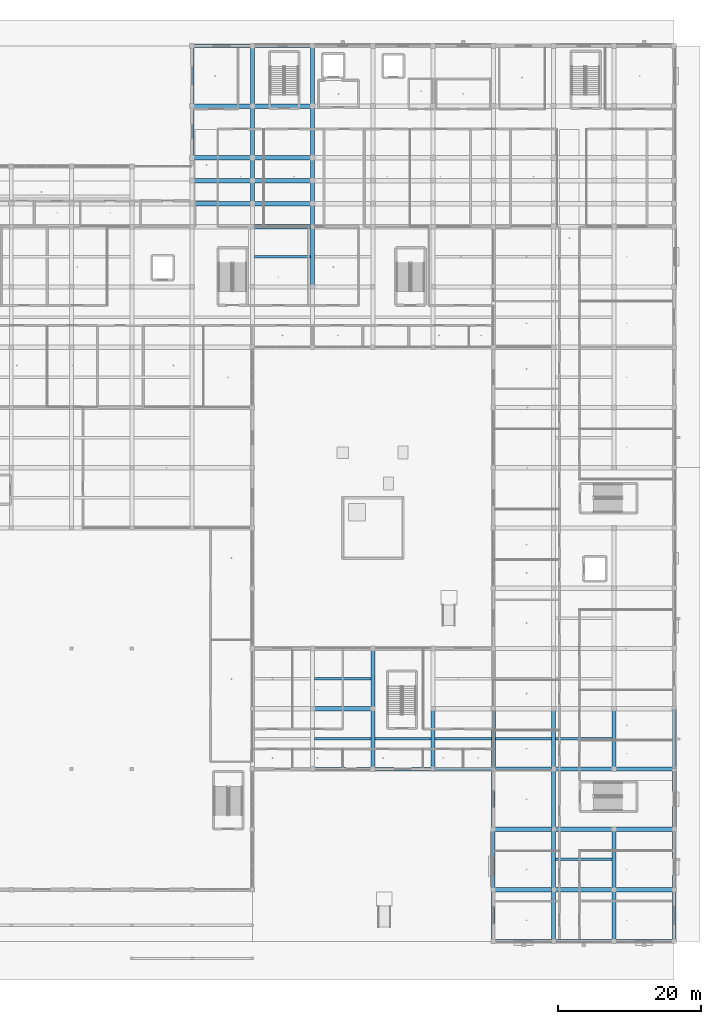
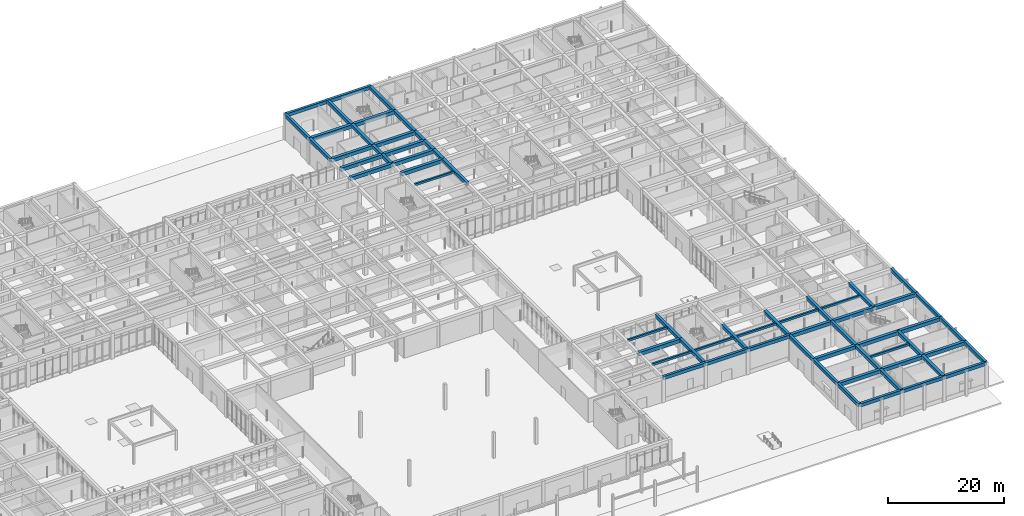
# One storey, part 37 of 167: 65 beams.
"""IFC4 building model written with IfcOpenShell, lengths in metres."""

import ifcopenshell
import ifcopenshell.guid

model = None  # the IFC model being written
_history = None  # IfcOwnerHistory: only IFC2X3 demands one
_inside = {}  # id of a spatial element -> (the spatial element, [elements in it])
_under = {}  # id of a project, library or spatial element -> (it, [spatial elements below it])
_declared = {}  # id of a project -> (the project, [libraries it declares])
_typed = {}  # id of a type object -> (the type object, [elements of that type])
_made_of = {}  # id of a material, layer set ... -> (it, [elements and type objects made of it])


def new_model(schema):
    """Start an empty IFC model of exactly this schema.

    Asked for "IFC4X3", IfcOpenShell would pick the latest addendum, in which some entities
    have other attributes; the version numbers below select the first issue.
    IFC2X3 requires an IfcOwnerHistory on every rooted entity: one is made here for all.
    """
    global model, _history
    if schema == "IFC4X3":
        model = ifcopenshell.file(schema_version=(4, 3, 0, 0))
    else:
        model = ifcopenshell.file(schema=schema)
    _inside.clear()
    _under.clear()
    _declared.clear()
    _typed.clear()
    _made_of.clear()
    _history = None
    if model.schema == "IFC2X3":
        org = make("IfcOrganization", Name="unknown")
        user = make(
            "IfcPersonAndOrganization",
            ThePerson=make("IfcPerson", FamilyName="unknown"),
            TheOrganization=org,
        )
        app = make(
            "IfcApplication",
            ApplicationDeveloper=org,
            Version="unknown",
            ApplicationFullName="unknown",
            ApplicationIdentifier="unknown",
        )
        _history = make(
            "IfcOwnerHistory",
            OwningUser=user,
            OwningApplication=app,
            ChangeAction="ADDED",
            CreationDate=0,
        )
    return model


def make(cls, **values):
    """One entity of the class cls with the attributes given. An attribute that is None is left unset."""
    return model.create_entity(
        cls, **{name: value for name, value in values.items() if value is not None}
    )


def rooted(cls, **values):
    """An entity with a GlobalId (a new one), such as an element, a storey or a relation."""
    return make(cls, GlobalId=ifcopenshell.guid.new(), OwnerHistory=_history, **values)


def si_unit(unit_type, name, prefix=None):
    """IfcSIUnit, for example si_unit("LENGTHUNIT", "METRE", prefix="MILLI")."""
    return make("IfcSIUnit", UnitType=unit_type, Prefix=prefix, Name=name)


def assignment(units):
    """IfcUnitAssignment: the units of a project."""
    return None if units is None else make("IfcUnitAssignment", Units=units)


def point(xyz):
    """IfcCartesianPoint."""
    return None if xyz is None else make("IfcCartesianPoint", Coordinates=xyz)


def direction(xyz):
    """IfcDirection."""
    return None if xyz is None else make("IfcDirection", DirectionRatios=xyz)


def frame(location, z_axis=None, x_axis=None):
    """IfcAxis2Placement3D, a coordinate frame: its origin and axes. An axis left out is left unset."""
    return make(
        "IfcAxis2Placement3D",
        Location=point(location),
        Axis=direction(z_axis),
        RefDirection=direction(x_axis),
    )


def frame_2d(location, x_axis=None):
    """IfcAxis2Placement2D, a coordinate frame in the plane: its origin and x axis."""
    return make(
        "IfcAxis2Placement2D", Location=point(location), RefDirection=direction(x_axis)
    )


def origin():
    """The frame at (0, 0, 0) with its axes left unset."""
    return frame((0.0, 0.0, 0.0))


def origin_2d():
    """The frame at (0, 0) in the plane with its x axis left unset."""
    return frame_2d((0.0, 0.0))


def place(relative_to, where):
    """IfcLocalPlacement: puts the frame where relative to a parent placement (None: the world)."""
    return make(
        "IfcLocalPlacement", PlacementRelTo=relative_to, RelativePlacement=where
    )


def context(
    kind, dimensions, precision=None, world=None, true_north=None, identifier=None
):
    """IfcGeometricRepresentationContext, for example the 3D "Model" context."""
    return make(
        "IfcGeometricRepresentationContext",
        ContextIdentifier=identifier,
        ContextType=kind,
        CoordinateSpaceDimension=dimensions,
        Precision=precision,
        WorldCoordinateSystem=world,
        TrueNorth=true_north,
    )


def subcontext(parent, identifier, kind, view, scale=None):
    """IfcGeometricRepresentationSubContext, for example "Body" below "Model"."""
    return make(
        "IfcGeometricRepresentationSubContext",
        ContextIdentifier=identifier,
        ContextType=kind,
        ParentContext=parent,
        TargetScale=scale,
        TargetView=view,
    )


def project(units=None, contexts=None):
    """IfcProject with its units and contexts."""
    return rooted(
        "IfcProject",
        Name="project",
        RepresentationContexts=contexts,
        UnitsInContext=assignment(units),
    )


def spatial(cls, under=None, at=None, **own):
    """A site, building, storey or space (cls), placed at a placement, below another one or the project."""
    s = rooted(cls, ObjectPlacement=at, **own)
    if under is not None:
        _under.setdefault(under.id(), (under, []))[1].append(s)
    return s


def profile(cls, at=None, kind="AREA", **sizes):
    """A parametric profile (cls). Its sizes go by their IFC names, for example OverallWidth=200.0."""
    return make(cls, ProfileType=kind, Position=at, **sizes)


def rectangle(**sizes):
    """IfcRectangleProfileDef."""
    return profile("IfcRectangleProfileDef", **sizes)


def extrude(swept, where, along, depth):
    """IfcExtrudedAreaSolid: the profile swept, set in the frame where, extruded along a direction by depth."""
    return make(
        "IfcExtrudedAreaSolid",
        SweptArea=swept,
        Position=where,
        ExtrudedDirection=direction(along),
        Depth=depth,
    )


def shape(context_of_items, identifier, shape_type, items):
    """IfcShapeRepresentation: the items that make up one representation, for example the "Body"."""
    return make(
        "IfcShapeRepresentation",
        ContextOfItems=context_of_items,
        RepresentationIdentifier=identifier,
        RepresentationType=shape_type,
        Items=items,
    )


def material(Name=None, Category=None):
    """IfcMaterial."""
    return make("IfcMaterial", Name=Name, Category=Category)


def material_profile(
    of_material, cross_section, Name=None, Category=None, Priority=None
):
    """IfcMaterialProfile: a cross section and its material."""
    return make(
        "IfcMaterialProfile",
        Name=Name,
        Material=of_material,
        Profile=cross_section,
        Priority=Priority,
        Category=Category,
    )


def profile_set(profiles, Name=None, composite=None):
    """IfcMaterialProfileSet."""
    return make(
        "IfcMaterialProfileSet",
        Name=Name,
        MaterialProfiles=profiles,
        CompositeProfile=composite,
    )


def made_of(thing, what):
    """Note that an element or type object is made of a material, layer set ...; save() writes the relation."""
    if what is not None:
        _made_of.setdefault(what.id(), (what, []))[1].append(thing)
    return thing


def type_object(cls, material=None, **own):
    """A type object (cls), such as IfcWallType, which elements share."""
    return made_of(rooted(cls, **own), material)


def element(
    cls,
    number,
    at=None,
    inside=None,
    cuts=None,
    type_object=None,
    material=None,
    context=None,
    identifier="Body",
    shape_type=None,
    held_by="IfcProductDefinitionShape",
    body=None,
    shapes=None,
    **own,
):
    """One element of the class cls, such as IfcWall. Its Tag is "e" and its number.

    at: its placement. inside: the storey or other place that contains it. cuts: it is an
    opening in that element (IfcRelVoidsElement). A single representation is given by context,
    identifier, shape_type and body (its items); several are given by shapes. held_by: the class
    of the entity that holds the representations. save() writes the other relations.
    """
    e = rooted(cls, Tag="e%d" % number, ObjectPlacement=at, **own)
    if body is not None:
        shapes = [shape(context, identifier, shape_type, body)]
    if shapes is not None:
        e.Representation = make(held_by, Representations=shapes)
    if inside is not None:
        _inside.setdefault(inside.id(), (inside, []))[1].append(e)
    if cuts is not None:
        rooted(
            "IfcRelVoidsElement", RelatingBuildingElement=cuts, RelatedOpeningElement=e
        )
    if type_object is not None:
        _typed.setdefault(type_object.id(), (type_object, []))[1].append(e)
    return made_of(e, material)


def aggregate(whole, parts):
    """IfcRelAggregates: a whole, such as a stair, and the parts it consists of."""
    return rooted("IfcRelAggregates", RelatingObject=whole, RelatedObjects=parts)


def save(model, path):
    """Write the relations noted so far, then the file.

    IfcRelAggregates (storeys below a building ...), IfcRelContainedInSpatialStructure (elements
    in a storey), IfcRelDefinesByType, IfcRelAssociatesMaterial and IfcRelDeclares: one each for
    every whole, place, type object, material and project.
    """
    for whole, parts in _under.values():
        aggregate(whole, parts)
    for where, things in _inside.values():
        rooted(
            "IfcRelContainedInSpatialStructure",
            RelatedElements=things,
            RelatingStructure=where,
        )
    for kind, things in _typed.values():
        rooted("IfcRelDefinesByType", RelatedObjects=things, RelatingType=kind)
    for what, things in _made_of.values():
        rooted("IfcRelAssociatesMaterial", RelatedObjects=things, RelatingMaterial=what)
    for by, libraries in _declared.values():
        rooted("IfcRelDeclares", RelatingContext=by, RelatedDefinitions=libraries)
    model.write(path)


model = new_model("IFC4")

# Units and contexts
model_context = context("Model", 3, precision=1e-05, world=origin(), true_north=direction((0.0, 1.0)))
body_context = subcontext(model_context, "Body", "Model", "MODEL_VIEW")
ifc_project = project(units=[si_unit("LENGTHUNIT", "METRE"), si_unit("AREAUNIT", "SQUARE_METRE"), si_unit("VOLUMEUNIT", "CUBIC_METRE"), si_unit("PLANEANGLEUNIT", "RADIAN"), si_unit("MASSUNIT", "GRAM", prefix="KILO")], contexts=[model_context])

# Site, building, storey
site_placement = place(None, origin())
site = spatial("IfcSite", under=ifc_project, at=site_placement, CompositionType="ELEMENT")
building_placement = place(site_placement, origin())
building = spatial("IfcBuilding", under=site, at=building_placement, Name="Varncliffe General Hospital", CompositionType="ELEMENT")
storey_placement = place(building_placement, origin())
storey = spatial("IfcBuildingStorey", under=building, at=storey_placement, Name="L00", CompositionType="ELEMENT", Elevation=0.0)

# Beams
ifc_material = material(Name="Concrete C35/45 (CSA A23.1 35 MPa)", Category="concrete")
ifc_material_profile_1 = material_profile(ifc_material, rectangle(XDim=0.60009765625, YDim=0.75, at=origin_2d()), Name="RC 600x750")
ifc_profile_set_1 = profile_set([ifc_material_profile_1], Name="Concrete C35/45 (CSA A23.1 35 MPa)")
beam_type_1 = type_object("IfcBeamType", Name="Beam B23 (Int RC 600x750)", PredefinedType="BEAM", material=ifc_profile_set_1)
beam_1_placement = place(storey_placement, frame((151.199951171875, 7.199951171875, 5.02490234375), z_axis=(1.0, 0.0, 0.0), x_axis=(0.0, 1.0, 0.0)))
element("IfcBeam", 1, at=beam_1_placement, inside=storey, type_object=beam_type_1, Name="L00 Primary Beam B23-17", PredefinedType="BEAM", context=body_context, shape_type="SweptSolid", body=[
    extrude(rectangle(XDim=0.60009765625, YDim=0.75, at=origin_2d()), origin(), (0.0, 0.0, 1.0), 8.400146484375),
])
for number, where, z_axis, x_axis, name in (
    (2, (159.60009765625, 7.199951171875, 5.02490234375), (1.0, 0.0, 0.0), (0.0, 1.0, 0.0), "L00 Primary Beam B23-18"),
    (3, (168.0, 7.199951171875, 5.02490234375), (1.0, 0.0, 0.0), (0.0, 1.0, 0.0), "L00 Primary Beam B23-19"),
):
    element("IfcBeam", number, at=place(storey_placement, frame(where, z_axis=z_axis, x_axis=x_axis)), inside=storey, type_object=beam_type_1, Name=name, PredefinedType="BEAM", context=body_context, shape_type="SweptSolid", body=[
        extrude(rectangle(XDim=0.60009765625, YDim=0.75, at=origin_2d()), origin(), (0.0, 0.0, 1.0), 8.39990234375),
    ])
beam_2_placement = place(storey_placement, frame((151.199951171875, 15.60009765625, 5.02490234375), z_axis=(1.0, 0.0, 0.0), x_axis=(0.0, 1.0, 0.0)))
element("IfcBeam", 4, at=beam_2_placement, inside=storey, type_object=beam_type_1, Name="L00 Primary Beam B23-23", PredefinedType="BEAM", context=body_context, shape_type="SweptSolid", body=[
    extrude(rectangle(XDim=0.60009765625, YDim=0.75, at=origin_2d()), origin(), (0.0, 0.0, 1.0), 8.400146484375),
])
for number, where, z_axis, x_axis, name in (
    (5, (159.60009765625, 15.60009765625, 5.02490234375), (1.0, 0.0, 0.0), (0.0, 1.0, 0.0), "L00 Primary Beam B23-24"),
    (6, (168.0, 15.60009765625, 5.02490234375), (1.0, 0.0, 0.0), (0.0, 1.0, 0.0), "L00 Primary Beam B23-25"),
):
    element("IfcBeam", number, at=place(storey_placement, frame(where, z_axis=z_axis, x_axis=x_axis)), inside=storey, type_object=beam_type_1, Name=name, PredefinedType="BEAM", context=body_context, shape_type="SweptSolid", body=[
        extrude(rectangle(XDim=0.60009765625, YDim=0.75, at=origin_2d()), origin(), (0.0, 0.0, 1.0), 8.39990234375),
    ])
beam_3_placement = place(storey_placement, frame((151.199951171875, 24.0, 5.02490234375), z_axis=(1.0, 0.0, 0.0), x_axis=(0.0, 1.0, 0.0)))
element("IfcBeam", 7, at=beam_3_placement, inside=storey, type_object=beam_type_1, Name="L00 Primary Beam B23-37", PredefinedType="BEAM", context=body_context, shape_type="SweptSolid", body=[
    extrude(rectangle(XDim=0.60009765625, YDim=0.75, at=origin_2d()), origin(), (0.0, 0.0, 1.0), 8.400146484375),
])
for number, where, z_axis, x_axis, name in (
    (8, (159.60009765625, 24.0, 5.02490234375), (1.0, 0.0, 0.0), (0.0, 1.0, 0.0), "L00 Primary Beam B23-38"),
    (9, (168.0, 24.0, 5.02490234375), (1.0, 0.0, 0.0), (0.0, 1.0, 0.0), "L00 Primary Beam B23-39"),
    (10, (126.0, 32.39990234375, 5.02490234375), (1.0, 0.0, 0.0), (0.0, 1.0, 0.0), "L00 Primary Beam B23-48"),
    (11, (117.60009765625, 99.60009765625, 5.02490234375), (1.0, 0.0, 0.0), (0.0, 1.0, 0.0), "L00 Primary Beam B23-164"),
):
    element("IfcBeam", number, at=place(storey_placement, frame(where, z_axis=z_axis, x_axis=x_axis)), inside=storey, type_object=beam_type_1, Name=name, PredefinedType="BEAM", context=body_context, shape_type="SweptSolid", body=[
        extrude(rectangle(XDim=0.60009765625, YDim=0.75, at=origin_2d()), origin(), (0.0, 0.0, 1.0), 8.39990234375),
    ])
beam_4_placement = place(storey_placement, frame((109.199951171875, 102.800048828125, 5.02490234375), z_axis=(1.0, 0.0, 0.0), x_axis=(0.0, 1.0, 0.0)))
element("IfcBeam", 12, at=beam_4_placement, inside=storey, type_object=beam_type_1, Name="L00 Primary Beam B23-184", PredefinedType="BEAM", context=body_context, shape_type="SweptSolid", body=[
    extrude(rectangle(XDim=0.60009765625, YDim=0.75, at=origin_2d()), origin(), (0.0, 0.0, 1.0), 8.400146484375),
])
beam_5_placement = place(storey_placement, frame((117.60009765625, 102.800048828125, 5.02490234375), z_axis=(1.0, 0.0, 0.0), x_axis=(0.0, 1.0, 0.0)))
element("IfcBeam", 13, at=beam_5_placement, inside=storey, type_object=beam_type_1, Name="L00 Primary Beam B23-185", PredefinedType="BEAM", context=body_context, shape_type="SweptSolid", body=[
    extrude(rectangle(XDim=0.60009765625, YDim=0.75, at=origin_2d()), origin(), (0.0, 0.0, 1.0), 8.39990234375),
])
beam_6_placement = place(storey_placement, frame((109.199951171875, 106.0, 5.02490234375), z_axis=(1.0, 0.0, 0.0), x_axis=(0.0, 1.0, 0.0)))
element("IfcBeam", 14, at=beam_6_placement, inside=storey, type_object=beam_type_1, Name="L00 Primary Beam B23-200", PredefinedType="BEAM", context=body_context, shape_type="SweptSolid", body=[
    extrude(rectangle(XDim=0.60009765625, YDim=0.75, at=origin_2d()), origin(), (0.0, 0.0, 1.0), 8.400146484375),
])
beam_7_placement = place(storey_placement, frame((117.60009765625, 106.0, 5.02490234375), z_axis=(1.0, 0.0, 0.0), x_axis=(0.0, 1.0, 0.0)))
element("IfcBeam", 15, at=beam_7_placement, inside=storey, type_object=beam_type_1, Name="L00 Primary Beam B23-201", PredefinedType="BEAM", context=body_context, shape_type="SweptSolid", body=[
    extrude(rectangle(XDim=0.60009765625, YDim=0.75, at=origin_2d()), origin(), (0.0, 0.0, 1.0), 8.39990234375),
])
beam_8_placement = place(storey_placement, frame((109.199951171875, 109.199951171875, 5.02490234375), z_axis=(1.0, 0.0, 0.0), x_axis=(0.0, 1.0, 0.0)))
element("IfcBeam", 16, at=beam_8_placement, inside=storey, type_object=beam_type_1, Name="L00 Primary Beam B23-219", PredefinedType="BEAM", context=body_context, shape_type="SweptSolid", body=[
    extrude(rectangle(XDim=0.60009765625, YDim=0.75, at=origin_2d()), origin(), (0.0, 0.0, 1.0), 8.400146484375),
])
beam_9_placement = place(storey_placement, frame((117.60009765625, 109.199951171875, 5.02490234375), z_axis=(1.0, 0.0, 0.0), x_axis=(0.0, 1.0, 0.0)))
element("IfcBeam", 17, at=beam_9_placement, inside=storey, type_object=beam_type_1, Name="L00 Primary Beam B23-220", PredefinedType="BEAM", context=body_context, shape_type="SweptSolid", body=[
    extrude(rectangle(XDim=0.60009765625, YDim=0.75, at=origin_2d()), origin(), (0.0, 0.0, 1.0), 8.39990234375),
])
beam_10_placement = place(storey_placement, frame((109.199951171875, 116.39990234375, 5.02490234375), z_axis=(1.0, 0.0, 0.0), x_axis=(0.0, 1.0, 0.0)))
element("IfcBeam", 18, at=beam_10_placement, inside=storey, type_object=beam_type_1, Name="L00 Primary Beam B23-235", PredefinedType="BEAM", context=body_context, shape_type="SweptSolid", body=[
    extrude(rectangle(XDim=0.60009765625, YDim=0.75, at=origin_2d()), origin(), (0.0, 0.0, 1.0), 8.400146484375),
])
beam_11_placement = place(storey_placement, frame((117.60009765625, 116.39990234375, 5.02490234375), z_axis=(1.0, 0.0, 0.0), x_axis=(0.0, 1.0, 0.0)))
element("IfcBeam", 19, at=beam_11_placement, inside=storey, type_object=beam_type_1, Name="L00 Primary Beam B23-236", PredefinedType="BEAM", context=body_context, shape_type="SweptSolid", body=[
    extrude(rectangle(XDim=0.60009765625, YDim=0.75, at=origin_2d()), origin(), (0.0, 0.0, 1.0), 8.39990234375),
])
ifc_material_profile_2 = material_profile(ifc_material, rectangle(XDim=0.550048828125, YDim=0.699951171875, at=origin_2d()), Name="RC 550x700")
ifc_profile_set_2 = profile_set([ifc_material_profile_2], Name="Concrete C35/45 (CSA A23.1 35 MPa)")
beam_type_2 = type_object("IfcBeamType", Name="Beam B35 (Int RC 550x700)", PredefinedType="BEAM", material=ifc_profile_set_2)
for number, where, z_axis, x_axis, name in (
    (20, (117.60009765625, 102.800048828125, 5.050048828125), (0.0, 1.0, 0.0), (-1.0, 0.0, 0.0), "L00 Primary Beam B35-428"),
    (21, (117.60009765625, 106.0, 5.050048828125), (0.0, 1.0, 0.0), (-1.0, 0.0, 0.0), "L00 Primary Beam B35-429"),
):
    element("IfcBeam", number, at=place(storey_placement, frame(where, z_axis=z_axis, x_axis=x_axis)), inside=storey, type_object=beam_type_2, Name=name, PredefinedType="BEAM", context=body_context, shape_type="SweptSolid", body=[
        extrude(rectangle(XDim=0.550048828125, YDim=0.699951171875, at=origin_2d()), origin(), (0.0, 0.0, 1.0), 3.199951171875),
    ])
beam_12_placement = place(storey_placement, frame((117.60009765625, 109.199951171875, 5.050048828125), z_axis=(0.0, 1.0, 0.0), x_axis=(-1.0, 0.0, 0.0)))
element("IfcBeam", 22, at=beam_12_placement, inside=storey, type_object=beam_type_2, Name="L00 Primary Beam B35-430", PredefinedType="BEAM", context=body_context, shape_type="SweptSolid", body=[
    extrude(rectangle(XDim=0.550048828125, YDim=0.699951171875, at=origin_2d()), origin(), (0.0, 0.0, 1.0), 7.199951171875),
])
for number, where, z_axis, x_axis, name in (
    (23, (117.60009765625, 116.39990234375, 5.050048828125), (0.0, 1.0, 0.0), (-1.0, 0.0, 0.0), "L00 Primary Beam B35-431"),
    (24, (126.0, 91.199951171875, 5.050048828125), (0.0, 1.0, 0.0), (-1.0, 0.0, 0.0), "L00 Primary Beam B35-435"),
):
    element("IfcBeam", number, at=place(storey_placement, frame(where, z_axis=z_axis, x_axis=x_axis)), inside=storey, type_object=beam_type_2, Name=name, PredefinedType="BEAM", context=body_context, shape_type="SweptSolid", body=[
        extrude(rectangle(XDim=0.550048828125, YDim=0.699951171875, at=origin_2d()), origin(), (0.0, 0.0, 1.0), 8.400146484375),
    ])
for number, where, z_axis, x_axis, name in (
    (25, (126.0, 99.60009765625, 5.050048828125), (0.0, 1.0, 0.0), (-1.0, 0.0, 0.0), "L00 Primary Beam B35-436"),
    (26, (126.0, 102.800048828125, 5.050048828125), (0.0, 1.0, 0.0), (-1.0, 0.0, 0.0), "L00 Primary Beam B35-437"),
    (27, (126.0, 106.0, 5.050048828125), (0.0, 1.0, 0.0), (-1.0, 0.0, 0.0), "L00 Primary Beam B35-438"),
):
    element("IfcBeam", number, at=place(storey_placement, frame(where, z_axis=z_axis, x_axis=x_axis)), inside=storey, type_object=beam_type_2, Name=name, PredefinedType="BEAM", context=body_context, shape_type="SweptSolid", body=[
        extrude(rectangle(XDim=0.550048828125, YDim=0.699951171875, at=origin_2d()), origin(), (0.0, 0.0, 1.0), 3.199951171875),
    ])
beam_13_placement = place(storey_placement, frame((126.0, 109.199951171875, 5.050048828125), z_axis=(0.0, 1.0, 0.0), x_axis=(-1.0, 0.0, 0.0)))
element("IfcBeam", 28, at=beam_13_placement, inside=storey, type_object=beam_type_2, Name="L00 Primary Beam B35-439", PredefinedType="BEAM", context=body_context, shape_type="SweptSolid", body=[
    extrude(rectangle(XDim=0.550048828125, YDim=0.699951171875, at=origin_2d()), origin(), (0.0, 0.0, 1.0), 7.199951171875),
])
beam_14_placement = place(storey_placement, frame((126.0, 116.39990234375, 5.050048828125), z_axis=(0.0, 1.0, 0.0), x_axis=(-1.0, 0.0, 0.0)))
element("IfcBeam", 29, at=beam_14_placement, inside=storey, type_object=beam_type_2, Name="L00 Primary Beam B35-440", PredefinedType="BEAM", context=body_context, shape_type="SweptSolid", body=[
    extrude(rectangle(XDim=0.550048828125, YDim=0.699951171875, at=origin_2d()), origin(), (0.0, 0.0, 1.0), 8.400146484375),
])
beam_15_placement = place(storey_placement, frame((134.39990234375, 24.0, 5.050048828125), z_axis=(0.0, 1.0, 0.0), x_axis=(-1.0, 0.0, 0.0)))
element("IfcBeam", 30, at=beam_15_placement, inside=storey, type_object=beam_type_2, Name="L00 Primary Beam B35-441", PredefinedType="BEAM", context=body_context, shape_type="SweptSolid", body=[
    extrude(rectangle(XDim=0.550048828125, YDim=0.699951171875, at=origin_2d()), origin(), (0.0, 0.0, 1.0), 8.39990234375),
])
beam_16_placement = place(storey_placement, frame((134.39990234375, 32.39990234375, 5.050048828125), z_axis=(0.0, 1.0, 0.0), x_axis=(-1.0, 0.0, 0.0)))
element("IfcBeam", 31, at=beam_16_placement, inside=storey, type_object=beam_type_2, Name="L00 Primary Beam B35-442", PredefinedType="BEAM", context=body_context, shape_type="SweptSolid", body=[
    extrude(rectangle(XDim=0.550048828125, YDim=0.699951171875, at=origin_2d()), origin(), (0.0, 0.0, 1.0), 8.400146484375),
])
for number, where, z_axis, x_axis, name in (
    (32, (142.800048828125, 24.0, 5.050048828125), (0.0, 1.0, 0.0), (-1.0, 0.0, 0.0), "L00 Primary Beam B35-450"),
    (33, (151.199951171875, 24.0, 5.050048828125), (0.0, 1.0, 0.0), (-1.0, 0.0, 0.0), "L00 Primary Beam B35-462"),
):
    element("IfcBeam", number, at=place(storey_placement, frame(where, z_axis=z_axis, x_axis=x_axis)), inside=storey, type_object=beam_type_2, Name=name, PredefinedType="BEAM", context=body_context, shape_type="SweptSolid", body=[
        extrude(rectangle(XDim=0.550048828125, YDim=0.699951171875, at=origin_2d()), origin(), (0.0, 0.0, 1.0), 8.39990234375),
    ])
beam_17_placement = place(storey_placement, frame((159.60009765625, 0.0, 5.050048828125), z_axis=(0.0, 1.0, 0.0), x_axis=(-1.0, 0.0, 0.0)))
element("IfcBeam", 34, at=beam_17_placement, inside=storey, type_object=beam_type_2, Name="L00 Primary Beam B35-476", PredefinedType="BEAM", context=body_context, shape_type="SweptSolid", body=[
    extrude(rectangle(XDim=0.550048828125, YDim=0.699951171875, at=origin_2d()), origin(), (0.0, 0.0, 1.0), 7.199951171875),
])
beam_18_placement = place(storey_placement, frame((159.60009765625, 7.199951171875, 5.050048828125), z_axis=(0.0, 1.0, 0.0), x_axis=(-1.0, 0.0, 0.0)))
element("IfcBeam", 35, at=beam_18_placement, inside=storey, type_object=beam_type_2, Name="L00 Primary Beam B35-477", PredefinedType="BEAM", context=body_context, shape_type="SweptSolid", body=[
    extrude(rectangle(XDim=0.550048828125, YDim=0.699951171875, at=origin_2d()), origin(), (0.0, 0.0, 1.0), 8.400146484375),
])
for number, where, z_axis, x_axis, name in (
    (36, (159.60009765625, 15.60009765625, 5.050048828125), (0.0, 1.0, 0.0), (-1.0, 0.0, 0.0), "L00 Primary Beam B35-478"),
    (37, (159.60009765625, 24.0, 5.050048828125), (0.0, 1.0, 0.0), (-1.0, 0.0, 0.0), "L00 Primary Beam B35-479"),
):
    element("IfcBeam", number, at=place(storey_placement, frame(where, z_axis=z_axis, x_axis=x_axis)), inside=storey, type_object=beam_type_2, Name=name, PredefinedType="BEAM", context=body_context, shape_type="SweptSolid", body=[
        extrude(rectangle(XDim=0.550048828125, YDim=0.699951171875, at=origin_2d()), origin(), (0.0, 0.0, 1.0), 8.39990234375),
    ])
beam_19_placement = place(storey_placement, frame((168.0, 0.0, 5.050048828125), z_axis=(0.0, 1.0, 0.0), x_axis=(-1.0, 0.0, 0.0)))
element("IfcBeam", 38, at=beam_19_placement, inside=storey, type_object=beam_type_2, Name="L00 Primary Beam B35-493", PredefinedType="BEAM", context=body_context, shape_type="SweptSolid", body=[
    extrude(rectangle(XDim=0.550048828125, YDim=0.699951171875, at=origin_2d()), origin(), (0.0, 0.0, 1.0), 7.199951171875),
])
beam_20_placement = place(storey_placement, frame((168.0, 7.199951171875, 5.050048828125), z_axis=(0.0, 1.0, 0.0), x_axis=(-1.0, 0.0, 0.0)))
element("IfcBeam", 39, at=beam_20_placement, inside=storey, type_object=beam_type_2, Name="L00 Primary Beam B35-494", PredefinedType="BEAM", context=body_context, shape_type="SweptSolid", body=[
    extrude(rectangle(XDim=0.550048828125, YDim=0.699951171875, at=origin_2d()), origin(), (0.0, 0.0, 1.0), 8.400146484375),
])
beam_21_placement = place(storey_placement, frame((168.0, 24.0, 5.050048828125), z_axis=(0.0, 1.0, 0.0), x_axis=(-1.0, 0.0, 0.0)))
element("IfcBeam", 40, at=beam_21_placement, inside=storey, type_object=beam_type_2, Name="L00 Primary Beam B35-495", PredefinedType="BEAM", context=body_context, shape_type="SweptSolid", body=[
    extrude(rectangle(XDim=0.550048828125, YDim=0.699951171875, at=origin_2d()), origin(), (0.0, 0.0, 1.0), 8.39990234375),
])
ifc_material_profile_3 = material_profile(ifc_material, rectangle(XDim=0.35009765625, YDim=0.449951171875, at=origin_2d()), Name="RC 350x450")
ifc_profile_set_3 = profile_set([ifc_material_profile_3], Name="Concrete C35/45 (CSA A23.1 35 MPa)")
beam_type_3 = type_object("IfcBeamType", Name="Joist J55 (Int RC 350x450)", PredefinedType="JOIST", material=ifc_profile_set_3)
for number, where, z_axis, x_axis, name in (
    (41, (117.873046875, 95.39990234375, 5.175048828125), (1.0, 0.0, 0.0), (0.0, 1.0, 0.0), "L00 Secondary Floor Rib J55-60"),
    (42, (126.27294921875, 28.199951171875, 5.175048828125), (1.0, 0.0, 0.0), (0.0, 1.0, 0.0), "L00 Secondary Floor Rib J55-61"),
    (43, (126.27294921875, 36.60009765625, 5.175048828125), (1.0, 0.0, 0.0), (0.0, 1.0, 0.0), "L00 Secondary Floor Rib J55-62"),
    (44, (134.673095703125, 28.199951171875, 5.175048828125), (1.0, 0.0, 0.0), (0.0, 1.0, 0.0), "L00 Secondary Floor Rib J55-65"),
    (45, (143.072998046875, 28.199951171875, 5.175048828125), (1.0, 0.0, 0.0), (0.0, 1.0, 0.0), "L00 Secondary Floor Rib J55-67"),
    (46, (151.472900390625, 28.199951171875, 5.175048828125), (1.0, 0.0, 0.0), (0.0, 1.0, 0.0), "L00 Secondary Floor Rib J55-71"),
    (47, (159.873046875, 11.39990234375, 5.175048828125), (1.0, 0.0, 0.0), (0.0, 1.0, 0.0), "L00 Secondary Floor Rib J55-75"),
    (48, (159.873046875, 28.199951171875, 5.175048828125), (1.0, 0.0, 0.0), (0.0, 1.0, 0.0), "L00 Secondary Floor Rib J55-76"),
):
    element("IfcBeam", number, at=place(storey_placement, frame(where, z_axis=z_axis, x_axis=x_axis)), inside=storey, type_object=beam_type_3, Name=name, PredefinedType="JOIST", context=body_context, shape_type="SweptSolid", body=[
        extrude(rectangle(XDim=0.35009765625, YDim=0.449951171875, at=origin_2d()), origin(), (0.0, 0.0, 1.0), 7.85400390625),
    ])
ifc_material_profile_4 = material_profile(ifc_material, rectangle(XDim=0.5, YDim=0.699951171875, at=origin_2d()), Name="RC 500x700")
ifc_profile_set_4 = profile_set([ifc_material_profile_4], Name="Concrete C35/45 (CSA A23.1 35 MPa)")
beam_type_4 = type_object("IfcBeamType", Name="Spandrel SP19 (Ext RC 500x700)", PredefinedType="SPANDREL", material=ifc_profile_set_4)
beam_22_placement = place(storey_placement, frame((151.199951171875, 0.0, 5.050048828125), z_axis=(1.0, 0.0, 0.0), x_axis=(0.0, 1.0, 0.0)))
element("IfcBeam", 49, at=beam_22_placement, inside=storey, type_object=beam_type_4, Name="L00 Spandrel Beam SP19-4", PredefinedType="SPANDREL", context=body_context, shape_type="SweptSolid", body=[
    extrude(rectangle(XDim=0.5, YDim=0.699951171875, at=origin_2d()), origin(), (0.0, 0.0, 1.0), 8.400146484375),
])
for number, where, z_axis, x_axis, name in (
    (50, (159.60009765625, 0.0, 5.050048828125), (1.0, 0.0, 0.0), (0.0, 1.0, 0.0), "L00 Spandrel Beam SP19-5"),
    (51, (168.0, 0.0, 5.050048828125), (1.0, 0.0, 0.0), (0.0, 1.0, 0.0), "L00 Spandrel Beam SP19-6"),
    (52, (126.0, 24.0, 5.050048828125), (1.0, 0.0, 0.0), (0.0, 1.0, 0.0), "L00 Spandrel Beam SP19-34"),
):
    element("IfcBeam", number, at=place(storey_placement, frame(where, z_axis=z_axis, x_axis=x_axis)), inside=storey, type_object=beam_type_4, Name=name, PredefinedType="SPANDREL", context=body_context, shape_type="SweptSolid", body=[
        extrude(rectangle(XDim=0.5, YDim=0.699951171875, at=origin_2d()), origin(), (0.0, 0.0, 1.0), 8.39990234375),
    ])
beam_23_placement = place(storey_placement, frame((134.39990234375, 24.0, 5.050048828125), z_axis=(1.0, 0.0, 0.0), x_axis=(0.0, 1.0, 0.0)))
element("IfcBeam", 53, at=beam_23_placement, inside=storey, type_object=beam_type_4, Name="L00 Spandrel Beam SP19-35", PredefinedType="SPANDREL", context=body_context, shape_type="SweptSolid", body=[
    extrude(rectangle(XDim=0.5, YDim=0.699951171875, at=origin_2d()), origin(), (0.0, 0.0, 1.0), 8.400146484375),
])
beam_24_placement = place(storey_placement, frame((142.800048828125, 24.0, 5.050048828125), z_axis=(1.0, 0.0, 0.0), x_axis=(0.0, 1.0, 0.0)))
element("IfcBeam", 54, at=beam_24_placement, inside=storey, type_object=beam_type_4, Name="L00 Spandrel Beam SP19-36", PredefinedType="SPANDREL", context=body_context, shape_type="SweptSolid", body=[
    extrude(rectangle(XDim=0.5, YDim=0.699951171875, at=origin_2d()), origin(), (0.0, 0.0, 1.0), 8.39990234375),
])
beam_25_placement = place(storey_placement, frame((109.199951171875, 124.800048828125, 5.050048828125), z_axis=(1.0, 0.0, 0.0), x_axis=(0.0, 1.0, 0.0)))
element("IfcBeam", 55, at=beam_25_placement, inside=storey, type_object=beam_type_4, Name="L00 Spandrel Beam SP19-251", PredefinedType="SPANDREL", context=body_context, shape_type="SweptSolid", body=[
    extrude(rectangle(XDim=0.5, YDim=0.699951171875, at=origin_2d()), origin(), (0.0, 0.0, 1.0), 8.400146484375),
])
beam_26_placement = place(storey_placement, frame((117.60009765625, 124.800048828125, 5.050048828125), z_axis=(1.0, 0.0, 0.0), x_axis=(0.0, 1.0, 0.0)))
element("IfcBeam", 56, at=beam_26_placement, inside=storey, type_object=beam_type_4, Name="L00 Spandrel Beam SP19-252", PredefinedType="SPANDREL", context=body_context, shape_type="SweptSolid", body=[
    extrude(rectangle(XDim=0.5, YDim=0.699951171875, at=origin_2d()), origin(), (0.0, 0.0, 1.0), 8.39990234375),
])
beam_27_placement = place(storey_placement, frame((109.199951171875, 109.199951171875, 5.050048828125), z_axis=(0.0, 1.0, 0.0), x_axis=(-1.0, 0.0, 0.0)))
element("IfcBeam", 57, at=beam_27_placement, inside=storey, type_object=beam_type_4, Name="L00 Spandrel Beam SP19-414", PredefinedType="SPANDREL", context=body_context, shape_type="SweptSolid", body=[
    extrude(rectangle(XDim=0.5, YDim=0.699951171875, at=origin_2d()), origin(), (0.0, 0.0, 1.0), 7.199951171875),
])
beam_28_placement = place(storey_placement, frame((109.199951171875, 116.39990234375, 5.050048828125), z_axis=(0.0, 1.0, 0.0), x_axis=(-1.0, 0.0, 0.0)))
element("IfcBeam", 58, at=beam_28_placement, inside=storey, type_object=beam_type_4, Name="L00 Spandrel Beam SP19-415", PredefinedType="SPANDREL", context=body_context, shape_type="SweptSolid", body=[
    extrude(rectangle(XDim=0.5, YDim=0.699951171875, at=origin_2d()), origin(), (0.0, 0.0, 1.0), 8.400146484375),
])
beam_29_placement = place(storey_placement, frame((151.199951171875, 0.0, 5.050048828125), z_axis=(0.0, 1.0, 0.0), x_axis=(-1.0, 0.0, 0.0)))
element("IfcBeam", 59, at=beam_29_placement, inside=storey, type_object=beam_type_4, Name="L00 Spandrel Beam SP19-459", PredefinedType="SPANDREL", context=body_context, shape_type="SweptSolid", body=[
    extrude(rectangle(XDim=0.5, YDim=0.699951171875, at=origin_2d()), origin(), (0.0, 0.0, 1.0), 7.199951171875),
])
beam_30_placement = place(storey_placement, frame((151.199951171875, 7.199951171875, 5.050048828125), z_axis=(0.0, 1.0, 0.0), x_axis=(-1.0, 0.0, 0.0)))
element("IfcBeam", 60, at=beam_30_placement, inside=storey, type_object=beam_type_4, Name="L00 Spandrel Beam SP19-460", PredefinedType="SPANDREL", context=body_context, shape_type="SweptSolid", body=[
    extrude(rectangle(XDim=0.5, YDim=0.699951171875, at=origin_2d()), origin(), (0.0, 0.0, 1.0), 8.400146484375),
])
beam_31_placement = place(storey_placement, frame((151.199951171875, 15.60009765625, 5.050048828125), z_axis=(0.0, 1.0, 0.0), x_axis=(-1.0, 0.0, 0.0)))
element("IfcBeam", 61, at=beam_31_placement, inside=storey, type_object=beam_type_4, Name="L00 Spandrel Beam SP19-461", PredefinedType="SPANDREL", context=body_context, shape_type="SweptSolid", body=[
    extrude(rectangle(XDim=0.5, YDim=0.699951171875, at=origin_2d()), origin(), (0.0, 0.0, 1.0), 8.39990234375),
])
beam_32_placement = place(storey_placement, frame((176.39990234375, 0.0, 5.050048828125), z_axis=(0.0, 1.0, 0.0), x_axis=(-1.0, 0.0, 0.0)))
element("IfcBeam", 62, at=beam_32_placement, inside=storey, type_object=beam_type_4, Name="L00 Spandrel Beam SP19-508", PredefinedType="SPANDREL", context=body_context, shape_type="SweptSolid", body=[
    extrude(rectangle(XDim=0.5, YDim=0.699951171875, at=origin_2d()), origin(), (0.0, 0.0, 1.0), 7.199951171875),
])
beam_33_placement = place(storey_placement, frame((176.39990234375, 7.199951171875, 5.050048828125), z_axis=(0.0, 1.0, 0.0), x_axis=(-1.0, 0.0, 0.0)))
element("IfcBeam", 63, at=beam_33_placement, inside=storey, type_object=beam_type_4, Name="L00 Spandrel Beam SP19-509", PredefinedType="SPANDREL", context=body_context, shape_type="SweptSolid", body=[
    extrude(rectangle(XDim=0.5, YDim=0.699951171875, at=origin_2d()), origin(), (0.0, 0.0, 1.0), 8.400146484375),
])
for number, where, z_axis, x_axis, name in (
    (64, (176.39990234375, 15.60009765625, 5.050048828125), (0.0, 1.0, 0.0), (-1.0, 0.0, 0.0), "L00 Spandrel Beam SP19-510"),
    (65, (176.39990234375, 24.0, 5.050048828125), (0.0, 1.0, 0.0), (-1.0, 0.0, 0.0), "L00 Spandrel Beam SP19-511"),
):
    element("IfcBeam", number, at=place(storey_placement, frame(where, z_axis=z_axis, x_axis=x_axis)), inside=storey, type_object=beam_type_4, Name=name, PredefinedType="SPANDREL", context=body_context, shape_type="SweptSolid", body=[
        extrude(rectangle(XDim=0.5, YDim=0.699951171875, at=origin_2d()), origin(), (0.0, 0.0, 1.0), 8.39990234375),
    ])

save(model, "model.ifc")
